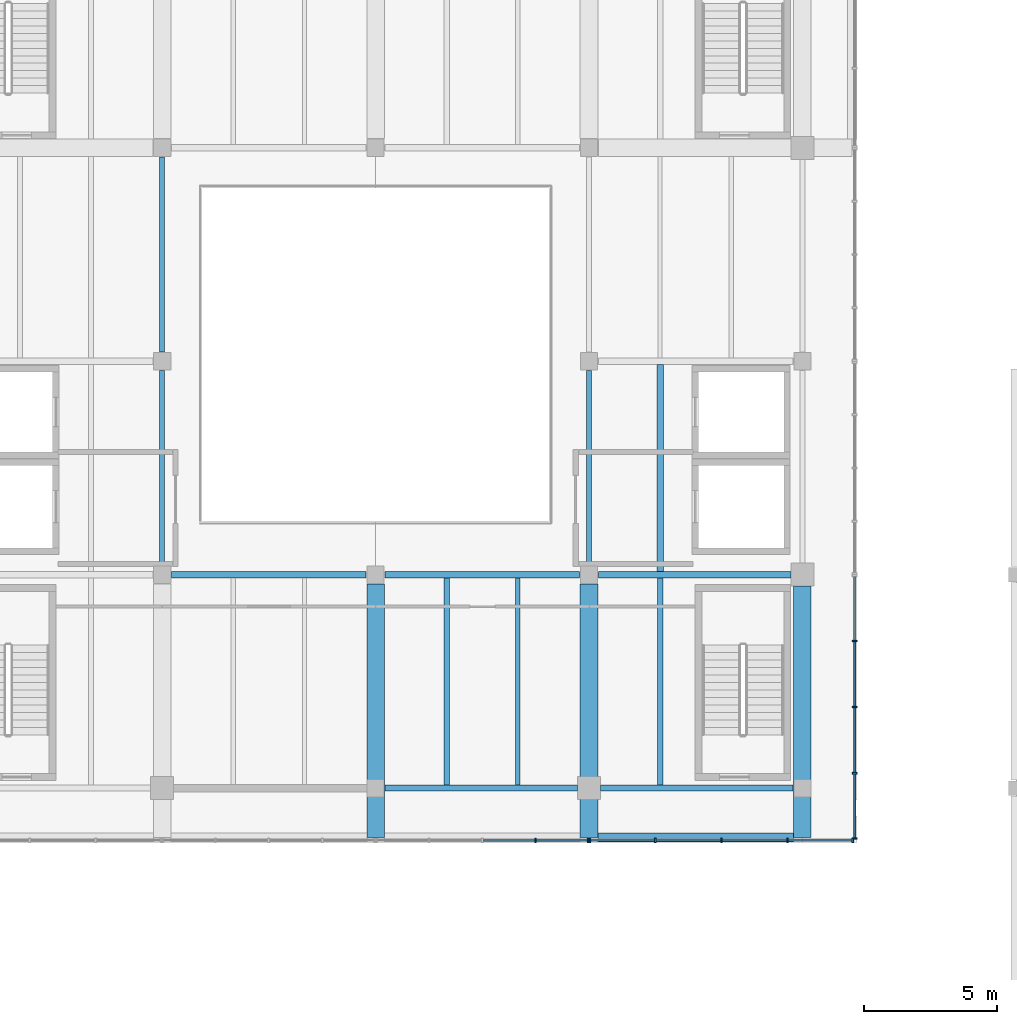
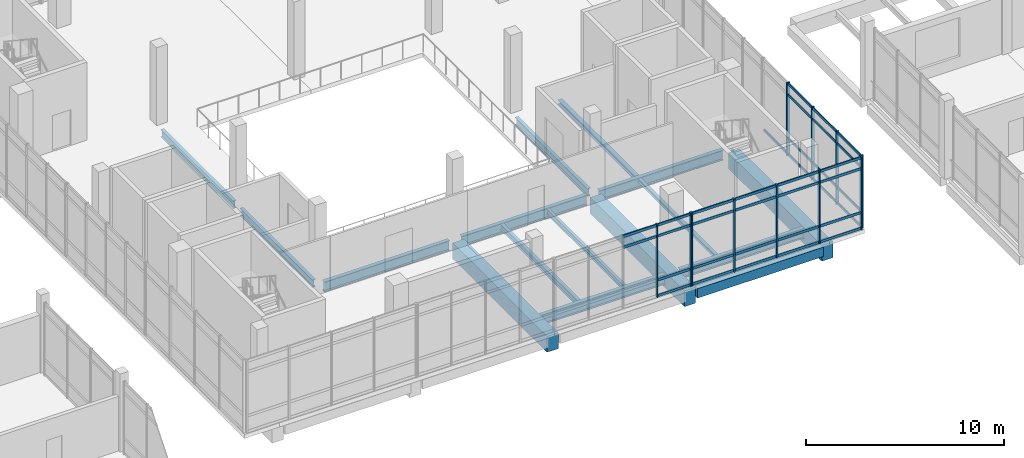
# One storey, part 7 of 28: 46 members, 16 beams, 3 elements without a shape of their own.
"""IFC4 building model written with IfcOpenShell, lengths in metres."""

from ifc_helpers import new_model, si_unit, direction, frame, origin, origin_2d, place, context, subcontext, project, spatial, rectangle, i_section, extrude, material, material_profile, profile_set, type_object, element, aggregate, save


model = new_model("IFC4")

# Units and contexts
model_context = context("Model", 3, precision=1e-05, world=origin(), true_north=direction((0.0, 1.0)))
body_context = subcontext(model_context, "Body", "Model", "MODEL_VIEW")
ifc_project = project(units=[si_unit("LENGTHUNIT", "METRE"), si_unit("AREAUNIT", "SQUARE_METRE"), si_unit("VOLUMEUNIT", "CUBIC_METRE"), si_unit("PLANEANGLEUNIT", "RADIAN"), si_unit("MASSUNIT", "GRAM", prefix="KILO")], contexts=[model_context])

# Site, building, storey
site_placement = place(None, origin())
site = spatial("IfcSite", under=ifc_project, at=site_placement, CompositionType="ELEMENT")
building_placement = place(site_placement, origin())
building = spatial("IfcBuilding", under=site, at=building_placement, Name="Pecanmere Concourse Central Library", CompositionType="ELEMENT")
storey_placement = place(building_placement, frame((0.0, 0.0, 20.10009765625)))
storey = spatial("IfcBuildingStorey", under=building, at=storey_placement, Name="L05", CompositionType="ELEMENT", Elevation=20.10009765625)

# Curtain wall, members
ifc_material_1 = material(Name="Anodized bronze aluminium alloy 6063-T6", Category="aluminium")
curtain_wall_type = type_object("IfcCurtainWallType", Name="CW_PLUMB_BANDED", PredefinedType="USERDEFINED", material=ifc_material_1)
curtain_wall_1_placement = place(storey_placement, origin())
curtain_wall_1 = element("IfcCurtainWall", 1, at=curtain_wall_1_placement, inside=storey, type_object=curtain_wall_type, Name="Unitised Curtain Wall CW-02 L05-060", ObjectType="UNITISED CURTAIN WALL", PredefinedType="USERDEFINED")
ifc_material_2 = material(Name="Anodized bronze aluminium alloy 6063-T6", Category="aluminium")
ifc_material_profile_1 = material_profile(ifc_material_2, rectangle(XDim=0.06494140625, YDim=0.179931640625, at=origin_2d()), Name="AL 65x180")
ifc_profile_set_1 = profile_set([ifc_material_profile_1], Name="Anodized bronze aluminium alloy 6063-T6")
member_type_1 = type_object("IfcMemberType", Name="CWM_180x65", PredefinedType="MULLION", material=ifc_profile_set_1)
member_1_placement = place(storey_placement, frame((93.99755859375, 88.03857421875, 0.0), z_axis=(0.0, 0.0, 1.0), x_axis=(1.0, 0.0, 0.0)))
member_1 = element("IfcMember", 2, at=member_1_placement, type_object=member_type_1, Name="CW-02 Mullion 4", PredefinedType="MULLION", context=body_context, shape_type="SweptSolid", body=[
    extrude(rectangle(XDim=0.06494140625, YDim=0.179931640625, at=origin_2d()), origin(), (0.0, 0.0, 1.0), 4.5),
])
member_2_placement = place(storey_placement, frame((95.96240234375, 88.03857421875, 0.0), z_axis=(0.0, 0.0, 1.0), x_axis=(1.0, 0.0, 0.0)))
member_2 = element("IfcMember", 3, at=member_2_placement, type_object=member_type_1, Name="CW-02 Mullion 5", PredefinedType="MULLION", context=body_context, shape_type="SweptSolid", body=[
    extrude(rectangle(XDim=0.06494140625, YDim=0.179931640625, at=origin_2d()), origin(), (0.0, 0.0, 1.0), 4.5),
])

curtain_wall_2_placement = place(storey_placement, origin())
curtain_wall_2 = element("IfcCurtainWall", 4, at=curtain_wall_2_placement, inside=storey, type_object=curtain_wall_type, Name="Unitised Curtain Wall CW-02 L05-061", ObjectType="UNITISED CURTAIN WALL", PredefinedType="USERDEFINED")
member_3_placement = place(storey_placement, frame((96.03759765625, 88.03857421875, 0.0), z_axis=(0.0, 0.0, 1.0), x_axis=(1.0, 0.0, 0.0)))
member_3 = element("IfcMember", 5, at=member_3_placement, type_object=member_type_1, Name="CW-02 Mullion 1", PredefinedType="MULLION", context=body_context, shape_type="SweptSolid", body=[
    extrude(rectangle(XDim=0.06494140625, YDim=0.179931640625, at=origin_2d()), origin(), (0.0, 0.0, 1.0), 4.5),
])
member_4_placement = place(storey_placement, frame((98.484130859375, 88.03857421875, 0.0), z_axis=(0.0, 0.0, 1.0), x_axis=(1.0, 0.0, 0.0)))
member_4 = element("IfcMember", 6, at=member_4_placement, type_object=member_type_1, Name="CW-02 Mullion 2", PredefinedType="MULLION", context=body_context, shape_type="SweptSolid", body=[
    extrude(rectangle(XDim=0.06494140625, YDim=0.179931640625, at=origin_2d()), origin(), (0.0, 0.0, 1.0), 4.5),
])
member_5_placement = place(storey_placement, frame((100.963134765625, 88.03857421875, 0.0), z_axis=(0.0, 0.0, 1.0), x_axis=(1.0, 0.0, 0.0)))
member_5 = element("IfcMember", 7, at=member_5_placement, type_object=member_type_1, Name="CW-02 Mullion 3", PredefinedType="MULLION", context=body_context, shape_type="SweptSolid", body=[
    extrude(rectangle(XDim=0.06494140625, YDim=0.179931640625, at=origin_2d()), origin(), (0.0, 0.0, 1.0), 4.5),
])
member_6_placement = place(storey_placement, frame((103.4423828125, 88.03857421875, 0.0), z_axis=(0.0, 0.0, 1.0), x_axis=(1.0, 0.0, 0.0)))
member_6 = element("IfcMember", 8, at=member_6_placement, type_object=member_type_1, Name="CW-02 Mullion 4", PredefinedType="MULLION", context=body_context, shape_type="SweptSolid", body=[
    extrude(rectangle(XDim=0.06494140625, YDim=0.179931640625, at=origin_2d()), origin(), (0.0, 0.0, 1.0), 4.5),
])
member_7_placement = place(storey_placement, frame((105.888916015625, 88.03857421875, 0.0), z_axis=(0.0, 0.0, 1.0), x_axis=(1.0, 0.0, 0.0)))
member_7 = element("IfcMember", 9, at=member_7_placement, type_object=member_type_1, Name="CW-02 Mullion 5", PredefinedType="MULLION", context=body_context, shape_type="SweptSolid", body=[
    extrude(rectangle(XDim=0.06494140625, YDim=0.179931640625, at=origin_2d()), origin(), (0.0, 0.0, 1.0), 4.5),
])

curtain_wall_3_placement = place(storey_placement, origin())
curtain_wall_3 = element("IfcCurtainWall", 10, at=curtain_wall_3_placement, inside=storey, type_object=curtain_wall_type, Name="Unitised Curtain Wall CW-02 L05-062", ObjectType="UNITISED CURTAIN WALL", PredefinedType="USERDEFINED")
member_8_placement = place(storey_placement, frame((105.96142578125, 88.111083984375, 0.0), z_axis=(0.0, 0.0, 1.0), x_axis=(0.0, 1.0, 0.0)))
member_8 = element("IfcMember", 11, at=member_8_placement, type_object=member_type_1, Name="CW-02 Mullion 1", PredefinedType="MULLION", context=body_context, shape_type="SweptSolid", body=[
    extrude(rectangle(XDim=0.06494140625, YDim=0.179931640625, at=origin_2d()), origin(), (0.0, 0.0, 1.0), 4.5),
])
member_9_placement = place(storey_placement, frame((105.96142578125, 90.5576171875, 0.0), z_axis=(0.0, 0.0, 1.0), x_axis=(0.0, 1.0, 0.0)))
member_9 = element("IfcMember", 12, at=member_9_placement, type_object=member_type_1, Name="CW-02 Mullion 2", PredefinedType="MULLION", context=body_context, shape_type="SweptSolid", body=[
    extrude(rectangle(XDim=0.06494140625, YDim=0.179931640625, at=origin_2d()), origin(), (0.0, 0.0, 1.0), 4.5),
])
member_10_placement = place(storey_placement, frame((105.96142578125, 93.036865234375, 0.0), z_axis=(0.0, 0.0, 1.0), x_axis=(0.0, 1.0, 0.0)))
member_10 = element("IfcMember", 13, at=member_10_placement, type_object=member_type_1, Name="CW-02 Mullion 3", PredefinedType="MULLION", context=body_context, shape_type="SweptSolid", body=[
    extrude(rectangle(XDim=0.06494140625, YDim=0.179931640625, at=origin_2d()), origin(), (0.0, 0.0, 1.0), 4.5),
])
member_11_placement = place(storey_placement, frame((105.96142578125, 95.515869140625, 0.0), z_axis=(0.0, 0.0, 1.0), x_axis=(0.0, 1.0, 0.0)))
member_11 = element("IfcMember", 14, at=member_11_placement, type_object=member_type_1, Name="CW-02 Mullion 4", PredefinedType="MULLION", context=body_context, shape_type="SweptSolid", body=[
    extrude(rectangle(XDim=0.06494140625, YDim=0.179931640625, at=origin_2d()), origin(), (0.0, 0.0, 1.0), 4.5),
])

# Member
ifc_material_3 = material(Name="Anodized bronze aluminium alloy 6063-T6", Category="aluminium")
ifc_material_profile_2 = material_profile(ifc_material_3, rectangle(XDim=0.06005859375, YDim=0.159912109375, at=origin_2d()), Name="AL 60x160")
ifc_profile_set_2 = profile_set([ifc_material_profile_2], Name="Anodized bronze aluminium alloy 6063-T6")
member_type_2 = type_object("IfcMemberType", Name="CWT_160x60", PredefinedType="USERDEFINED", material=ifc_profile_set_2)
member_12_placement = place(storey_placement, frame((92.032470703125, 88.03857421875, 3.75), z_axis=(1.0, 0.0, 0.0), x_axis=(0.0, 1.0, 0.0)))
member_12 = element("IfcMember", 15, at=member_12_placement, type_object=member_type_2, Name="CW-02 Transom 3.3", ObjectType="TRANSOM", PredefinedType="USERDEFINED", context=body_context, shape_type="SweptSolid", body=[
    extrude(rectangle(XDim=0.06005859375, YDim=0.159912109375, at=origin_2d()), origin(), (0.0, 0.0, 1.0), 1.9326171875),
])

member_13_placement = place(storey_placement, frame((92.032470703125, 88.03857421875, 4.419921875), z_axis=(1.0, 0.0, 0.0), x_axis=(0.0, 1.0, 0.0)))
member_13 = element("IfcMember", 16, at=member_13_placement, type_object=member_type_2, Name="CW-02 Transom 3.4", ObjectType="TRANSOM", PredefinedType="USERDEFINED", context=body_context, shape_type="SweptSolid", body=[
    extrude(rectangle(XDim=0.06005859375, YDim=0.159912109375, at=origin_2d()), origin(), (0.0, 0.0, 1.0), 1.9326171875),
])

member_14_placement = place(storey_placement, frame((94.030029296875, 88.03857421875, 0.079833984375), z_axis=(1.0, 0.0, 0.0), x_axis=(0.0, 1.0, 0.0)))
member_14 = element("IfcMember", 17, at=member_14_placement, type_object=member_type_2, Name="CW-02 Transom 4.1", ObjectType="TRANSOM", PredefinedType="USERDEFINED", context=body_context, shape_type="SweptSolid", body=[
    extrude(rectangle(XDim=0.06005859375, YDim=0.159912109375, at=origin_2d()), origin(), (0.0, 0.0, 1.0), 1.89990234375),
])

member_15_placement = place(storey_placement, frame((94.030029296875, 88.03857421875, 1.0498046875), z_axis=(1.0, 0.0, 0.0), x_axis=(0.0, 1.0, 0.0)))
member_15 = element("IfcMember", 18, at=member_15_placement, type_object=member_type_2, Name="CW-02 Transom 4.2", ObjectType="TRANSOM", PredefinedType="USERDEFINED", context=body_context, shape_type="SweptSolid", body=[
    extrude(rectangle(XDim=0.06005859375, YDim=0.159912109375, at=origin_2d()), origin(), (0.0, 0.0, 1.0), 1.89990234375),
])

member_16_placement = place(storey_placement, frame((94.030029296875, 88.03857421875, 3.75), z_axis=(1.0, 0.0, 0.0), x_axis=(0.0, 1.0, 0.0)))
member_16 = element("IfcMember", 19, at=member_16_placement, type_object=member_type_2, Name="CW-02 Transom 4.3", ObjectType="TRANSOM", PredefinedType="USERDEFINED", context=body_context, shape_type="SweptSolid", body=[
    extrude(rectangle(XDim=0.06005859375, YDim=0.159912109375, at=origin_2d()), origin(), (0.0, 0.0, 1.0), 1.89990234375),
])

member_17_placement = place(storey_placement, frame((94.030029296875, 88.03857421875, 4.419921875), z_axis=(1.0, 0.0, 0.0), x_axis=(0.0, 1.0, 0.0)))
member_17 = element("IfcMember", 20, at=member_17_placement, type_object=member_type_2, Name="CW-02 Transom 4.4", ObjectType="TRANSOM", PredefinedType="USERDEFINED", context=body_context, shape_type="SweptSolid", body=[
    extrude(rectangle(XDim=0.06005859375, YDim=0.159912109375, at=origin_2d()), origin(), (0.0, 0.0, 1.0), 1.89990234375),
])

aggregate(curtain_wall_1, [member_1, member_2, member_12, member_13, member_14, member_15, member_16, member_17])

member_18_placement = place(storey_placement, frame((96.070068359375, 88.03857421875, 0.079833984375), z_axis=(1.0, 0.0, 0.0), x_axis=(0.0, 1.0, 0.0)))
member_18 = element("IfcMember", 21, at=member_18_placement, type_object=member_type_2, Name="CW-02 Transom 1.1", ObjectType="TRANSOM", PredefinedType="USERDEFINED", context=body_context, shape_type="SweptSolid", body=[
    extrude(rectangle(XDim=0.06005859375, YDim=0.159912109375, at=origin_2d()), origin(), (0.0, 0.0, 1.0), 2.381591796875),
])

member_19_placement = place(storey_placement, frame((96.070068359375, 88.03857421875, 1.0498046875), z_axis=(1.0, 0.0, 0.0), x_axis=(0.0, 1.0, 0.0)))
member_19 = element("IfcMember", 22, at=member_19_placement, type_object=member_type_2, Name="CW-02 Transom 1.2", ObjectType="TRANSOM", PredefinedType="USERDEFINED", context=body_context, shape_type="SweptSolid", body=[
    extrude(rectangle(XDim=0.06005859375, YDim=0.159912109375, at=origin_2d()), origin(), (0.0, 0.0, 1.0), 2.381591796875),
])

member_20_placement = place(storey_placement, frame((96.070068359375, 88.03857421875, 3.75), z_axis=(1.0, 0.0, 0.0), x_axis=(0.0, 1.0, 0.0)))
member_20 = element("IfcMember", 23, at=member_20_placement, type_object=member_type_2, Name="CW-02 Transom 1.3", ObjectType="TRANSOM", PredefinedType="USERDEFINED", context=body_context, shape_type="SweptSolid", body=[
    extrude(rectangle(XDim=0.06005859375, YDim=0.159912109375, at=origin_2d()), origin(), (0.0, 0.0, 1.0), 2.381591796875),
])

member_21_placement = place(storey_placement, frame((96.070068359375, 88.03857421875, 4.419921875), z_axis=(1.0, 0.0, 0.0), x_axis=(0.0, 1.0, 0.0)))
member_21 = element("IfcMember", 24, at=member_21_placement, type_object=member_type_2, Name="CW-02 Transom 1.4", ObjectType="TRANSOM", PredefinedType="USERDEFINED", context=body_context, shape_type="SweptSolid", body=[
    extrude(rectangle(XDim=0.06005859375, YDim=0.159912109375, at=origin_2d()), origin(), (0.0, 0.0, 1.0), 2.381591796875),
])

member_22_placement = place(storey_placement, frame((98.5166015625, 88.03857421875, 0.079833984375), z_axis=(1.0, 0.0, 0.0), x_axis=(0.0, 1.0, 0.0)))
member_22 = element("IfcMember", 25, at=member_22_placement, type_object=member_type_2, Name="CW-02 Transom 2.1", ObjectType="TRANSOM", PredefinedType="USERDEFINED", context=body_context, shape_type="SweptSolid", body=[
    extrude(rectangle(XDim=0.06005859375, YDim=0.159912109375, at=origin_2d()), origin(), (0.0, 0.0, 1.0), 2.4140625),
])

member_23_placement = place(storey_placement, frame((98.5166015625, 88.03857421875, 1.0498046875), z_axis=(1.0, 0.0, 0.0), x_axis=(0.0, 1.0, 0.0)))
member_23 = element("IfcMember", 26, at=member_23_placement, type_object=member_type_2, Name="CW-02 Transom 2.2", ObjectType="TRANSOM", PredefinedType="USERDEFINED", context=body_context, shape_type="SweptSolid", body=[
    extrude(rectangle(XDim=0.06005859375, YDim=0.159912109375, at=origin_2d()), origin(), (0.0, 0.0, 1.0), 2.4140625),
])

member_24_placement = place(storey_placement, frame((98.5166015625, 88.03857421875, 3.75), z_axis=(1.0, 0.0, 0.0), x_axis=(0.0, 1.0, 0.0)))
member_24 = element("IfcMember", 27, at=member_24_placement, type_object=member_type_2, Name="CW-02 Transom 2.3", ObjectType="TRANSOM", PredefinedType="USERDEFINED", context=body_context, shape_type="SweptSolid", body=[
    extrude(rectangle(XDim=0.06005859375, YDim=0.159912109375, at=origin_2d()), origin(), (0.0, 0.0, 1.0), 2.4140625),
])

member_25_placement = place(storey_placement, frame((98.5166015625, 88.03857421875, 4.419921875), z_axis=(1.0, 0.0, 0.0), x_axis=(0.0, 1.0, 0.0)))
member_25 = element("IfcMember", 28, at=member_25_placement, type_object=member_type_2, Name="CW-02 Transom 2.4", ObjectType="TRANSOM", PredefinedType="USERDEFINED", context=body_context, shape_type="SweptSolid", body=[
    extrude(rectangle(XDim=0.06005859375, YDim=0.159912109375, at=origin_2d()), origin(), (0.0, 0.0, 1.0), 2.4140625),
])

member_26_placement = place(storey_placement, frame((100.995849609375, 88.03857421875, 0.079833984375), z_axis=(1.0, 0.0, 0.0), x_axis=(0.0, 1.0, 0.0)))
member_26 = element("IfcMember", 29, at=member_26_placement, type_object=member_type_2, Name="CW-02 Transom 3.1", ObjectType="TRANSOM", PredefinedType="USERDEFINED", context=body_context, shape_type="SweptSolid", body=[
    extrude(rectangle(XDim=0.06005859375, YDim=0.159912109375, at=origin_2d()), origin(), (0.0, 0.0, 1.0), 2.4140625),
])

member_27_placement = place(storey_placement, frame((100.995849609375, 88.03857421875, 1.0498046875), z_axis=(1.0, 0.0, 0.0), x_axis=(0.0, 1.0, 0.0)))
member_27 = element("IfcMember", 30, at=member_27_placement, type_object=member_type_2, Name="CW-02 Transom 3.2", ObjectType="TRANSOM", PredefinedType="USERDEFINED", context=body_context, shape_type="SweptSolid", body=[
    extrude(rectangle(XDim=0.06005859375, YDim=0.159912109375, at=origin_2d()), origin(), (0.0, 0.0, 1.0), 2.4140625),
])

member_28_placement = place(storey_placement, frame((100.995849609375, 88.03857421875, 3.75), z_axis=(1.0, 0.0, 0.0), x_axis=(0.0, 1.0, 0.0)))
member_28 = element("IfcMember", 31, at=member_28_placement, type_object=member_type_2, Name="CW-02 Transom 3.3", ObjectType="TRANSOM", PredefinedType="USERDEFINED", context=body_context, shape_type="SweptSolid", body=[
    extrude(rectangle(XDim=0.06005859375, YDim=0.159912109375, at=origin_2d()), origin(), (0.0, 0.0, 1.0), 2.4140625),
])

member_29_placement = place(storey_placement, frame((100.995849609375, 88.03857421875, 4.419921875), z_axis=(1.0, 0.0, 0.0), x_axis=(0.0, 1.0, 0.0)))
member_29 = element("IfcMember", 32, at=member_29_placement, type_object=member_type_2, Name="CW-02 Transom 3.4", ObjectType="TRANSOM", PredefinedType="USERDEFINED", context=body_context, shape_type="SweptSolid", body=[
    extrude(rectangle(XDim=0.06005859375, YDim=0.159912109375, at=origin_2d()), origin(), (0.0, 0.0, 1.0), 2.4140625),
])

member_30_placement = place(storey_placement, frame((103.474853515625, 88.03857421875, 0.079833984375), z_axis=(1.0, 0.0, 0.0), x_axis=(0.0, 1.0, 0.0)))
member_30 = element("IfcMember", 33, at=member_30_placement, type_object=member_type_2, Name="CW-02 Transom 4.1", ObjectType="TRANSOM", PredefinedType="USERDEFINED", context=body_context, shape_type="SweptSolid", body=[
    extrude(rectangle(XDim=0.06005859375, YDim=0.159912109375, at=origin_2d()), origin(), (0.0, 0.0, 1.0), 2.381591796875),
])

member_31_placement = place(storey_placement, frame((103.474853515625, 88.03857421875, 1.0498046875), z_axis=(1.0, 0.0, 0.0), x_axis=(0.0, 1.0, 0.0)))
member_31 = element("IfcMember", 34, at=member_31_placement, type_object=member_type_2, Name="CW-02 Transom 4.2", ObjectType="TRANSOM", PredefinedType="USERDEFINED", context=body_context, shape_type="SweptSolid", body=[
    extrude(rectangle(XDim=0.06005859375, YDim=0.159912109375, at=origin_2d()), origin(), (0.0, 0.0, 1.0), 2.381591796875),
])

member_32_placement = place(storey_placement, frame((103.474853515625, 88.03857421875, 3.75), z_axis=(1.0, 0.0, 0.0), x_axis=(0.0, 1.0, 0.0)))
member_32 = element("IfcMember", 35, at=member_32_placement, type_object=member_type_2, Name="CW-02 Transom 4.3", ObjectType="TRANSOM", PredefinedType="USERDEFINED", context=body_context, shape_type="SweptSolid", body=[
    extrude(rectangle(XDim=0.06005859375, YDim=0.159912109375, at=origin_2d()), origin(), (0.0, 0.0, 1.0), 2.381591796875),
])

member_33_placement = place(storey_placement, frame((103.474853515625, 88.03857421875, 4.419921875), z_axis=(1.0, 0.0, 0.0), x_axis=(0.0, 1.0, 0.0)))
member_33 = element("IfcMember", 36, at=member_33_placement, type_object=member_type_2, Name="CW-02 Transom 4.4", ObjectType="TRANSOM", PredefinedType="USERDEFINED", context=body_context, shape_type="SweptSolid", body=[
    extrude(rectangle(XDim=0.06005859375, YDim=0.159912109375, at=origin_2d()), origin(), (0.0, 0.0, 1.0), 2.381591796875),
])

aggregate(curtain_wall_2, [member_3, member_4, member_5, member_6, member_7, member_18, member_19, member_20, member_21, member_22, member_23, member_24, member_25, member_26, member_27, member_28, member_29, member_30, member_31, member_32, member_33])

member_34_placement = place(storey_placement, frame((105.96142578125, 88.1435546875, 0.079833984375), z_axis=(0.0, 1.0, 0.0), x_axis=(-1.0, 0.0, 0.0)))
member_34 = element("IfcMember", 37, at=member_34_placement, type_object=member_type_2, Name="CW-02 Transom 1.1", ObjectType="TRANSOM", PredefinedType="USERDEFINED", context=body_context, shape_type="SweptSolid", body=[
    extrude(rectangle(XDim=0.06005859375, YDim=0.159912109375, at=origin_2d()), origin(), (0.0, 0.0, 1.0), 2.381591796875),
])

member_35_placement = place(storey_placement, frame((105.96142578125, 88.1435546875, 1.0498046875), z_axis=(0.0, 1.0, 0.0), x_axis=(-1.0, 0.0, 0.0)))
member_35 = element("IfcMember", 38, at=member_35_placement, type_object=member_type_2, Name="CW-02 Transom 1.2", ObjectType="TRANSOM", PredefinedType="USERDEFINED", context=body_context, shape_type="SweptSolid", body=[
    extrude(rectangle(XDim=0.06005859375, YDim=0.159912109375, at=origin_2d()), origin(), (0.0, 0.0, 1.0), 2.381591796875),
])

member_36_placement = place(storey_placement, frame((105.96142578125, 88.1435546875, 3.75), z_axis=(0.0, 1.0, 0.0), x_axis=(-1.0, 0.0, 0.0)))
member_36 = element("IfcMember", 39, at=member_36_placement, type_object=member_type_2, Name="CW-02 Transom 1.3", ObjectType="TRANSOM", PredefinedType="USERDEFINED", context=body_context, shape_type="SweptSolid", body=[
    extrude(rectangle(XDim=0.06005859375, YDim=0.159912109375, at=origin_2d()), origin(), (0.0, 0.0, 1.0), 2.381591796875),
])

member_37_placement = place(storey_placement, frame((105.96142578125, 88.1435546875, 4.419921875), z_axis=(0.0, 1.0, 0.0), x_axis=(-1.0, 0.0, 0.0)))
member_37 = element("IfcMember", 40, at=member_37_placement, type_object=member_type_2, Name="CW-02 Transom 1.4", ObjectType="TRANSOM", PredefinedType="USERDEFINED", context=body_context, shape_type="SweptSolid", body=[
    extrude(rectangle(XDim=0.06005859375, YDim=0.159912109375, at=origin_2d()), origin(), (0.0, 0.0, 1.0), 2.381591796875),
])

member_38_placement = place(storey_placement, frame((105.96142578125, 90.590087890625, 0.079833984375), z_axis=(0.0, 1.0, 0.0), x_axis=(-1.0, 0.0, 0.0)))
member_38 = element("IfcMember", 41, at=member_38_placement, type_object=member_type_2, Name="CW-02 Transom 2.1", ObjectType="TRANSOM", PredefinedType="USERDEFINED", context=body_context, shape_type="SweptSolid", body=[
    extrude(rectangle(XDim=0.06005859375, YDim=0.159912109375, at=origin_2d()), origin(), (0.0, 0.0, 1.0), 2.4140625),
])

member_39_placement = place(storey_placement, frame((105.96142578125, 90.590087890625, 1.0498046875), z_axis=(0.0, 1.0, 0.0), x_axis=(-1.0, 0.0, 0.0)))
member_39 = element("IfcMember", 42, at=member_39_placement, type_object=member_type_2, Name="CW-02 Transom 2.2", ObjectType="TRANSOM", PredefinedType="USERDEFINED", context=body_context, shape_type="SweptSolid", body=[
    extrude(rectangle(XDim=0.06005859375, YDim=0.159912109375, at=origin_2d()), origin(), (0.0, 0.0, 1.0), 2.4140625),
])

member_40_placement = place(storey_placement, frame((105.96142578125, 90.590087890625, 3.75), z_axis=(0.0, 1.0, 0.0), x_axis=(-1.0, 0.0, 0.0)))
member_40 = element("IfcMember", 43, at=member_40_placement, type_object=member_type_2, Name="CW-02 Transom 2.3", ObjectType="TRANSOM", PredefinedType="USERDEFINED", context=body_context, shape_type="SweptSolid", body=[
    extrude(rectangle(XDim=0.06005859375, YDim=0.159912109375, at=origin_2d()), origin(), (0.0, 0.0, 1.0), 2.4140625),
])

member_41_placement = place(storey_placement, frame((105.96142578125, 90.590087890625, 4.419921875), z_axis=(0.0, 1.0, 0.0), x_axis=(-1.0, 0.0, 0.0)))
member_41 = element("IfcMember", 44, at=member_41_placement, type_object=member_type_2, Name="CW-02 Transom 2.4", ObjectType="TRANSOM", PredefinedType="USERDEFINED", context=body_context, shape_type="SweptSolid", body=[
    extrude(rectangle(XDim=0.06005859375, YDim=0.159912109375, at=origin_2d()), origin(), (0.0, 0.0, 1.0), 2.4140625),
])

member_42_placement = place(storey_placement, frame((105.96142578125, 93.0693359375, 0.079833984375), z_axis=(0.0, 1.0, 0.0), x_axis=(-1.0, 0.0, 0.0)))
member_42 = element("IfcMember", 45, at=member_42_placement, type_object=member_type_2, Name="CW-02 Transom 3.1", ObjectType="TRANSOM", PredefinedType="USERDEFINED", context=body_context, shape_type="SweptSolid", body=[
    extrude(rectangle(XDim=0.06005859375, YDim=0.159912109375, at=origin_2d()), origin(), (0.0, 0.0, 1.0), 2.4140625),
])

member_43_placement = place(storey_placement, frame((105.96142578125, 93.0693359375, 1.0498046875), z_axis=(0.0, 1.0, 0.0), x_axis=(-1.0, 0.0, 0.0)))
member_43 = element("IfcMember", 46, at=member_43_placement, type_object=member_type_2, Name="CW-02 Transom 3.2", ObjectType="TRANSOM", PredefinedType="USERDEFINED", context=body_context, shape_type="SweptSolid", body=[
    extrude(rectangle(XDim=0.06005859375, YDim=0.159912109375, at=origin_2d()), origin(), (0.0, 0.0, 1.0), 2.4140625),
])

member_44_placement = place(storey_placement, frame((105.96142578125, 93.0693359375, 3.75), z_axis=(0.0, 1.0, 0.0), x_axis=(-1.0, 0.0, 0.0)))
member_44 = element("IfcMember", 47, at=member_44_placement, type_object=member_type_2, Name="CW-02 Transom 3.3", ObjectType="TRANSOM", PredefinedType="USERDEFINED", context=body_context, shape_type="SweptSolid", body=[
    extrude(rectangle(XDim=0.06005859375, YDim=0.159912109375, at=origin_2d()), origin(), (0.0, 0.0, 1.0), 2.4140625),
])

member_45_placement = place(storey_placement, frame((105.96142578125, 93.0693359375, 4.419921875), z_axis=(0.0, 1.0, 0.0), x_axis=(-1.0, 0.0, 0.0)))
member_45 = element("IfcMember", 48, at=member_45_placement, type_object=member_type_2, Name="CW-02 Transom 3.4", ObjectType="TRANSOM", PredefinedType="USERDEFINED", context=body_context, shape_type="SweptSolid", body=[
    extrude(rectangle(XDim=0.06005859375, YDim=0.159912109375, at=origin_2d()), origin(), (0.0, 0.0, 1.0), 2.4140625),
])

member_46_placement = place(storey_placement, frame((105.96142578125, 95.54833984375, 0.079833984375), z_axis=(0.0, 1.0, 0.0), x_axis=(-1.0, 0.0, 0.0)))
member_46 = element("IfcMember", 49, at=member_46_placement, type_object=member_type_2, Name="CW-02 Transom 4.1", ObjectType="TRANSOM", PredefinedType="USERDEFINED", context=body_context, shape_type="SweptSolid", body=[
    extrude(rectangle(XDim=0.06005859375, YDim=0.159912109375, at=origin_2d()), origin(), (0.0, 0.0, 1.0), 2.381591796875),
])

aggregate(curtain_wall_3, [member_8, member_9, member_10, member_11, member_34, member_35, member_36, member_37, member_38, member_39, member_40, member_41, member_42, member_43, member_44, member_45, member_46])

# Beams
ifc_material_4 = material(Name="Concrete C40/50", Category="concrete")
ifc_material_profile_3 = material_profile(ifc_material_4, rectangle(XDim=0.659912109375, YDim=0.97998046875, at=origin_2d()), Name="RC 660x980")
ifc_profile_set_3 = profile_set([ifc_material_profile_3], Name="Concrete C40/50")
beam_type_1 = type_object("IfcBeamType", Name="GRD_660x980", PredefinedType="USERDEFINED", material=ifc_profile_set_3)
for number, where, z_axis, x_axis, name in (
    (50, (88.0, 88.1484375, -0.77001953125), (0.0, 1.0, 0.0), (-1.0, 0.0, 0.0), "Primary Girder Y L05-2513"),
    (51, (96.0, 88.1484375, -0.77001953125), (0.0, 1.0, 0.0), (-1.0, 0.0, 0.0), "Primary Girder Y L05-2515"),
):
    element("IfcBeam", number, at=place(storey_placement, frame(where, z_axis=z_axis, x_axis=x_axis)), inside=storey, type_object=beam_type_1, Name=name, ObjectType="GIRDER", PredefinedType="USERDEFINED", context=body_context, shape_type="SweptSolid", body=[
        extrude(rectangle(XDim=0.659912109375, YDim=0.97998046875, at=origin_2d()), origin(), (0.0, 0.0, 1.0), 9.50146484375),
    ])
beam_1_placement = place(storey_placement, frame((104.0, 88.1484375, -0.77001953125), z_axis=(0.0, 1.0, 0.0), x_axis=(-1.0, 0.0, 0.0)))
element("IfcBeam", 52, at=beam_1_placement, inside=storey, type_object=beam_type_1, Name="Primary Girder Y L05-2519", ObjectType="GIRDER", PredefinedType="USERDEFINED", context=body_context, shape_type="SweptSolid", body=[
    extrude(rectangle(XDim=0.659912109375, YDim=0.97998046875, at=origin_2d()), origin(), (0.0, 0.0, 1.0), 9.421630859375),
])
ifc_material_5 = material(Name="Structural steel ASTM A992 Grade 50", Category="steel")
ifc_material_profile_4 = material_profile(ifc_material_5, i_section(OverallWidth=0.2041015625, OverallDepth=0.2060546875, WebThickness=0.0078125, FlangeThickness=0.0126953125, at=origin_2d()), Name="W200x52")
ifc_profile_set_4 = profile_set([ifc_material_profile_4], Name="Structural steel ASTM A992 Grade 50")
beam_type_2 = type_object("IfcBeamType", Name="SBM_W200x52", PredefinedType="JOIST", material=ifc_profile_set_4)
beam_2_placement = place(storey_placement, frame((98.666748046875, 90.114990234375, -0.383056640625), z_axis=(0.0, 1.0, 0.0), x_axis=(-1.0, 0.0, 0.0)))
element("IfcBeam", 53, at=beam_2_placement, inside=storey, type_object=beam_type_2, Name="Secondary Floor Joist L05-2593", PredefinedType="JOIST", context=body_context, shape_type="SweptSolid", body=[
    extrude(i_section(OverallWidth=0.2041015625, OverallDepth=0.2060546875, WebThickness=0.0078125, FlangeThickness=0.0126953125, at=origin_2d()), origin(), (0.0, 0.0, 1.0), 7.77001953125),
])
ifc_material_6 = material(Name="Structural steel ASTM A992 Grade 50", Category="steel")
ifc_material_profile_5 = material_profile(ifc_material_6, i_section(OverallWidth=0.25390625, OverallDepth=0.2529296875, WebThickness=0.008544921875, FlangeThickness=0.01416015625, at=origin_2d()), Name="W250x73")
ifc_profile_set_5 = profile_set([ifc_material_profile_5], Name="Structural steel ASTM A992 Grade 50")
beam_type_3 = type_object("IfcBeamType", Name="SBM_W250x73", PredefinedType="BEAM", material=ifc_profile_set_5)
beam_3_placement = place(storey_placement, frame((98.666748046875, 98.114990234375, -0.406494140625), z_axis=(0.0, 1.0, 0.0), x_axis=(-1.0, 0.0, 0.0)))
element("IfcBeam", 54, at=beam_3_placement, inside=storey, type_object=beam_type_3, Name="Secondary Floor Joist L05-2594", PredefinedType="BEAM", context=body_context, shape_type="SweptSolid", body=[
    extrude(i_section(OverallWidth=0.25390625, OverallDepth=0.2529296875, WebThickness=0.008544921875, FlangeThickness=0.01416015625, at=origin_2d()), origin(), (0.0, 0.0, 1.0), 7.77001953125),
])
ifc_material_7 = material(Name="Structural steel ASTM A992 Grade 50", Category="steel")
ifc_material_profile_6 = material_profile(ifc_material_7, i_section(OverallWidth=0.1669921875, OverallDepth=0.31689453125, WebThickness=0.007568359375, FlangeThickness=0.01318359375, at=origin_2d()), Name="W310x52")
ifc_profile_set_6 = profile_set([ifc_material_profile_6], Name="Structural steel ASTM A992 Grade 50")
beam_type_4 = type_object("IfcBeamType", Name="SBM_W310x52", PredefinedType="JOIST", material=ifc_profile_set_6)
beam_4_placement = place(storey_placement, frame((93.333251953125, 90.114990234375, -0.4384765625), z_axis=(0.0, 1.0, 0.0), x_axis=(-1.0, 0.0, 0.0)))
element("IfcBeam", 55, at=beam_4_placement, inside=storey, type_object=beam_type_4, Name="Secondary Floor Joist L05-2590", PredefinedType="JOIST", context=body_context, shape_type="SweptSolid", body=[
    extrude(i_section(OverallWidth=0.1669921875, OverallDepth=0.31689453125, WebThickness=0.007568359375, FlangeThickness=0.01318359375, at=origin_2d()), origin(), (0.0, 0.0, 1.0), 7.77001953125),
])
ifc_material_8 = material(Name="Structural steel ASTM A992 Grade 50", Category="steel")
ifc_material_profile_7 = material_profile(ifc_material_8, i_section(OverallWidth=0.202880859375, OverallDepth=0.346923828125, WebThickness=0.0078125, FlangeThickness=0.013427734375, at=origin_2d()), Name="W360x64")
ifc_profile_set_7 = profile_set([ifc_material_profile_7], Name="Structural steel ASTM A992 Grade 50")
beam_type_5 = type_object("IfcBeamType", Name="SBM_W360x64", PredefinedType="JOIST", material=ifc_profile_set_7)
beam_5_placement = place(storey_placement, frame((90.666748046875, 90.114990234375, -0.45361328125), z_axis=(0.0, 1.0, 0.0), x_axis=(-1.0, 0.0, 0.0)))
element("IfcBeam", 56, at=beam_5_placement, inside=storey, type_object=beam_type_5, Name="Secondary Floor Joist L05-2589", PredefinedType="JOIST", context=body_context, shape_type="SweptSolid", body=[
    extrude(i_section(OverallWidth=0.202880859375, OverallDepth=0.346923828125, WebThickness=0.0078125, FlangeThickness=0.013427734375, at=origin_2d()), origin(), (0.0, 0.0, 1.0), 7.77001953125),
])
ifc_material_9 = material(Name="Structural steel ASTM A992 Grade 50", Category="steel")
ifc_material_profile_8 = material_profile(ifc_material_9, i_section(OverallWidth=0.194091796875, OverallDepth=0.468994140625, WebThickness=0.0126953125, FlangeThickness=0.0205078125, at=origin_2d()), Name="W460x106")
ifc_profile_set_8 = profile_set([ifc_material_profile_8], Name="Structural steel ASTM A992 Grade 50")
beam_type_6 = type_object("IfcBeamType", Name="SBM_W460x106", PredefinedType="USERDEFINED", material=ifc_profile_set_8)
for number, where, z_axis, x_axis, name in (
    (57, (80.0, 98.35009765625, -0.5146484375), (0.0, 1.0, 0.0), (-1.0, 0.0, 0.0), "Primary Girder Y L05-2510"),
    (58, (80.0, 106.35009765625, -0.5146484375), (0.0, 1.0, 0.0), (-1.0, 0.0, 0.0), "Primary Girder Y L05-2511"),
    (59, (96.0, 98.35009765625, -0.5146484375), (0.0, 1.0, 0.0), (-1.0, 0.0, 0.0), "Primary Girder Y L05-2516"),
):
    element("IfcBeam", number, at=place(storey_placement, frame(where, z_axis=z_axis, x_axis=x_axis)), inside=storey, type_object=beam_type_6, Name=name, ObjectType="GIRDER", PredefinedType="USERDEFINED", context=body_context, shape_type="SweptSolid", body=[
        extrude(i_section(OverallWidth=0.194091796875, OverallDepth=0.468994140625, WebThickness=0.0126953125, FlangeThickness=0.0205078125, at=origin_2d()), origin(), (0.0, 0.0, 1.0), 7.2998046875),
    ])
ifc_material_10 = material(Name="Structural steel ASTM A992 Grade 50", Category="steel")
ifc_material_profile_9 = material_profile(ifc_material_10, i_section(OverallWidth=0.22998046875, OverallDepth=0.616943359375, WebThickness=0.01318359375, FlangeThickness=0.022216796875, at=origin_2d()), Name="W610x140")
ifc_profile_set_9 = profile_set([ifc_material_profile_9], Name="Structural steel ASTM A992 Grade 50")
beam_type_7 = type_object("IfcBeamType", Name="SBM_W610x140", PredefinedType="USERDEFINED", material=ifc_profile_set_9)
for number, where, z_axis, x_axis, name in (
    (60, (88.35009765625, 90.0, -0.588623046875), (1.0, 0.0, 0.0), (0.0, 1.0, 0.0), "Primary Girder X L05-2458"),
    (61, (96.429931640625, 90.0, -0.588623046875), (1.0, 0.0, 0.0), (0.0, 1.0, 0.0), "Primary Girder X L05-2459"),
):
    element("IfcBeam", number, at=place(storey_placement, frame(where, z_axis=z_axis, x_axis=x_axis)), inside=storey, type_object=beam_type_7, Name=name, ObjectType="GIRDER", PredefinedType="USERDEFINED", context=body_context, shape_type="SweptSolid", body=[
        extrude(i_section(OverallWidth=0.22998046875, OverallDepth=0.616943359375, WebThickness=0.01318359375, FlangeThickness=0.022216796875, at=origin_2d()), origin(), (0.0, 0.0, 1.0), 7.219970703125),
    ])
for number, where, z_axis, x_axis, name in (
    (62, (80.35009765625, 98.0, -0.588623046875), (1.0, 0.0, 0.0), (0.0, 1.0, 0.0), "Primary Girder X L05-2465"),
    (63, (88.35009765625, 98.0, -0.588623046875), (1.0, 0.0, 0.0), (0.0, 1.0, 0.0), "Primary Girder X L05-2466"),
):
    element("IfcBeam", number, at=place(storey_placement, frame(where, z_axis=z_axis, x_axis=x_axis)), inside=storey, type_object=beam_type_7, Name=name, ObjectType="GIRDER", PredefinedType="USERDEFINED", context=body_context, shape_type="SweptSolid", body=[
        extrude(i_section(OverallWidth=0.22998046875, OverallDepth=0.616943359375, WebThickness=0.01318359375, FlangeThickness=0.022216796875, at=origin_2d()), origin(), (0.0, 0.0, 1.0), 7.2998046875),
    ])
beam_6_placement = place(storey_placement, frame((96.35009765625, 98.0, -0.588623046875), z_axis=(1.0, 0.0, 0.0), x_axis=(0.0, 1.0, 0.0)))
element("IfcBeam", 64, at=beam_6_placement, inside=storey, type_object=beam_type_7, Name="Primary Girder X L05-2467", ObjectType="GIRDER", PredefinedType="USERDEFINED", context=body_context, shape_type="SweptSolid", body=[
    extrude(i_section(OverallWidth=0.22998046875, OverallDepth=0.616943359375, WebThickness=0.01318359375, FlangeThickness=0.022216796875, at=origin_2d()), origin(), (0.0, 0.0, 1.0), 7.219970703125),
])
ifc_material_11 = material(Name="Concrete C40/50", Category="concrete")
ifc_material_profile_10 = material_profile(ifc_material_11, rectangle(XDim=0.340087890625, YDim=0.580078125, at=origin_2d()), Name="RC 340x580")
ifc_profile_set_10 = profile_set([ifc_material_profile_10], Name="Concrete C40/50")
beam_type_8 = type_object("IfcBeamType", Name="SPB_340x580", PredefinedType="BEAM", material=ifc_profile_set_10)
beam_7_placement = place(storey_placement, frame((96.330078125, 88.1484375, -0.570068359375), z_axis=(1.0, 0.0, 0.0), x_axis=(0.0, 1.0, 0.0)))
element("IfcBeam", 65, at=beam_7_placement, inside=storey, type_object=beam_type_8, Name="Leaning Facade Edge Beam L05-2547", PredefinedType="BEAM", context=body_context, shape_type="SweptSolid", body=[
    extrude(rectangle(XDim=0.340087890625, YDim=0.580078125, at=origin_2d()), origin(), (0.0, 0.0, 1.0), 7.33984375),
])

save(model, "model.ifc")
